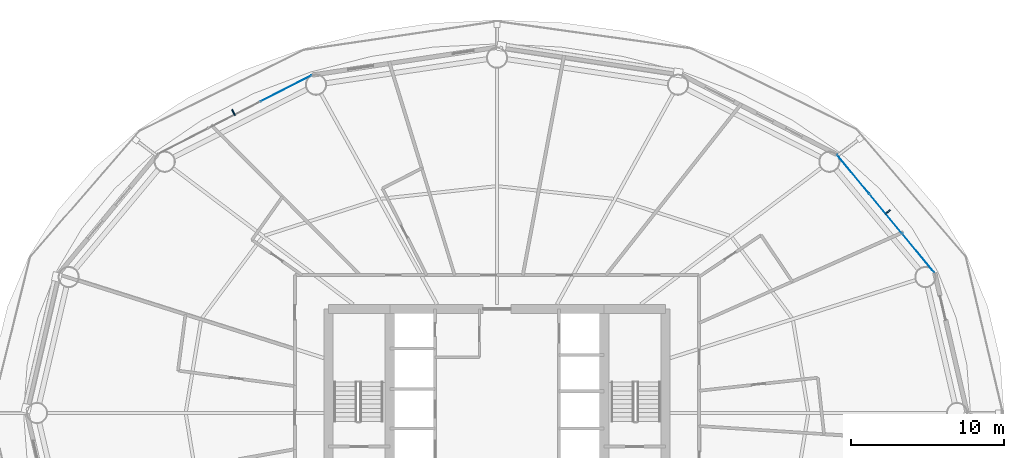
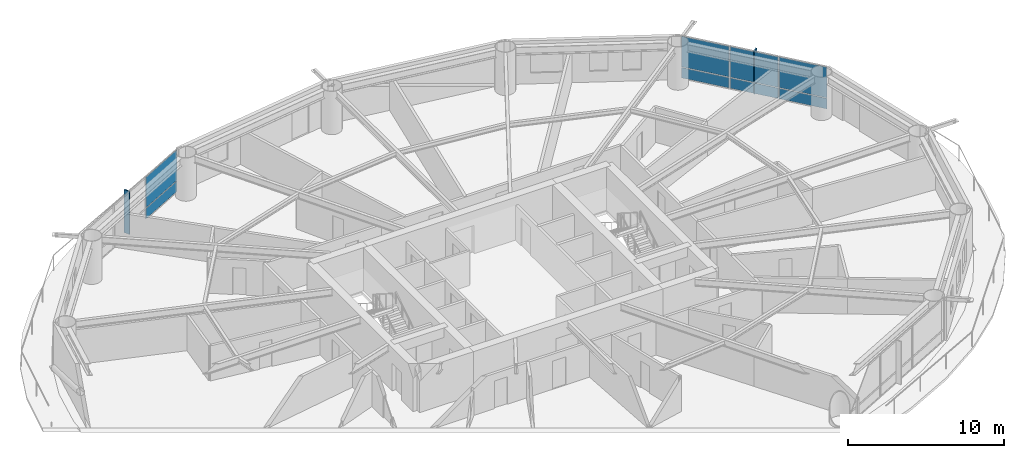
# One storey, part 18 of 26: 10 plates, 2 elements without a shape of their own.
"""IFC4 building model written with IfcOpenShell, lengths in metres."""

from ifc_helpers import new_model, si_unit, direction, frame, origin, origin_2d, place, context, subcontext, project, spatial, rectangle, extrude, material, layer, layer_set, type_object, element, aggregate, save


model = new_model("IFC4")

# Units and contexts
model_context = context("Model", 3, precision=1e-05, world=origin(), true_north=direction((0.0, 1.0)))
body_context = subcontext(model_context, "Body", "Model", "MODEL_VIEW")
ifc_project = project(units=[si_unit("LENGTHUNIT", "METRE"), si_unit("AREAUNIT", "SQUARE_METRE"), si_unit("VOLUMEUNIT", "CUBIC_METRE"), si_unit("PLANEANGLEUNIT", "RADIAN"), si_unit("MASSUNIT", "GRAM", prefix="KILO")], contexts=[model_context])

# Site, building, storey
site_placement = place(None, origin())
site = spatial("IfcSite", under=ifc_project, at=site_placement, CompositionType="ELEMENT")
building_placement = place(site_placement, origin())
building = spatial("IfcBuilding", under=site, at=building_placement, Name="Sarneth Arch Tower", CompositionType="ELEMENT")
storey_placement = place(building_placement, frame((0.0, 0.0, 53.39990234375)))
storey = spatial("IfcBuildingStorey", under=building, at=storey_placement, Name="L12", CompositionType="ELEMENT", Elevation=53.39990234375)

# Curtain wall, plates
ifc_material_1 = material(Name="Anodised aluminium Type AA25 and solar-control low-e laminated IGU", Category="aluminium")
ifc_layer_1 = layer(ifc_material_1, 0.159912109375)
ifc_layer_set_1 = layer_set([ifc_layer_1], Name="Anodised aluminium Type AA25 and solar-control low-e laminated IGU")
curtain_wall_type = type_object("IfcCurtainWallType", Name="CW-HOTEL-LOW", PredefinedType="NOTDEFINED", material=ifc_layer_set_1)
curtain_wall_1_placement = place(storey_placement, origin())
curtain_wall_1 = element("IfcCurtainWall", 1, at=curtain_wall_1_placement, inside=storey, type_object=curtain_wall_type, Name="L12 Unitised curtain wall facet 02", PredefinedType="NOTDEFINED")
ifc_material_2 = material(Name="Solar-control low-e laminated IGU", Category="glass")
ifc_layer_2 = layer(ifc_material_2, 0.028076171875)
ifc_layer_set_2 = layer_set([ifc_layer_2], Name="Solar-control low-e laminated IGU")
plate_type_1 = type_object("IfcPlateType", Name="CW-PANEL", PredefinedType="CURTAIN_PANEL", material=ifc_layer_set_2)
plate_1_placement = place(storey_placement, frame((75.503662109375, 52.441162109375, 0.06005859375), z_axis=(0.0, 0.0, 1.0), x_axis=(-0.637291340827, 0.770622960278, 0.0)))
plate_1 = element("IfcPlate", 2, at=plate_1_placement, type_object=plate_type_1, Name="Curtain wall glazed vision pane CW-L12-F02/P00-00", PredefinedType="CURTAIN_PANEL", context=body_context, shape_type="SweptSolid", body=[
    extrude(rectangle(XDim=3.260986328125, YDim=0.028076171875, at=origin_2d()), origin(), (0.0, 0.0, 1.0), 0.81005859375),
])
plate_2_placement = place(storey_placement, frame((75.503662109375, 52.441162109375, 0.93017578125), z_axis=(0.0, 0.0, 1.0), x_axis=(-0.637291340827, 0.770622960278, 0.0)))
plate_2 = element("IfcPlate", 3, at=plate_2_placement, type_object=plate_type_1, Name="Curtain wall glazed vision pane CW-L12-F02/P00-01", PredefinedType="CURTAIN_PANEL", context=body_context, shape_type="SweptSolid", body=[
    extrude(rectangle(XDim=3.260986328125, YDim=0.028076171875, at=origin_2d()), origin(), (0.0, 0.0, 1.0), 2.389892578125),
])
plate_3_placement = place(storey_placement, frame((73.37744140625, 55.01220703125, 0.06005859375), z_axis=(0.0, 0.0, 1.0), x_axis=(-0.637291340827, 0.770622960278, 0.0)))
plate_3 = element("IfcPlate", 4, at=plate_3_placement, type_object=plate_type_1, Name="Curtain wall glazed vision pane CW-L12-F02/P01-00", PredefinedType="CURTAIN_PANEL", context=body_context, shape_type="SweptSolid", body=[
    extrude(rectangle(XDim=3.291015625, YDim=0.028076171875, at=origin_2d()), origin(), (0.0, 0.0, 1.0), 0.81005859375),
])
plate_4_placement = place(storey_placement, frame((73.37744140625, 55.01220703125, 0.93017578125), z_axis=(0.0, 0.0, 1.0), x_axis=(-0.637291340827, 0.770622960278, 0.0)))
plate_4 = element("IfcPlate", 5, at=plate_4_placement, type_object=plate_type_1, Name="Curtain wall glazed vision pane CW-L12-F02/P01-01", PredefinedType="CURTAIN_PANEL", context=body_context, shape_type="SweptSolid", body=[
    extrude(rectangle(XDim=3.291015625, YDim=0.028076171875, at=origin_2d()), origin(), (0.0, 0.0, 1.0), 2.389892578125),
])
plate_5_placement = place(storey_placement, frame((71.25146484375, 57.5830078125, 0.06005859375), z_axis=(0.0, 0.0, 1.0), x_axis=(-0.637291340827, 0.770622960278, 0.0)))
plate_5 = element("IfcPlate", 6, at=plate_5_placement, type_object=plate_type_1, Name="Curtain wall glazed vision pane CW-L12-F02/P02-00", PredefinedType="CURTAIN_PANEL", context=body_context, shape_type="SweptSolid", body=[
    extrude(rectangle(XDim=3.260986328125, YDim=0.028076171875, at=origin_2d()), origin(), (0.0, 0.0, 1.0), 0.81005859375),
])
plate_6_placement = place(storey_placement, frame((71.25146484375, 57.5830078125, 0.93017578125), z_axis=(0.0, 0.0, 1.0), x_axis=(-0.637291340827, 0.770622960278, 0.0)))
plate_6 = element("IfcPlate", 7, at=plate_6_placement, type_object=plate_type_1, Name="Curtain wall glazed vision pane CW-L12-F02/P02-01", PredefinedType="CURTAIN_PANEL", context=body_context, shape_type="SweptSolid", body=[
    extrude(rectangle(XDim=3.260986328125, YDim=0.028076171875, at=origin_2d()), origin(), (0.0, 0.0, 1.0), 2.389892578125),
])
aggregate(curtain_wall_1, [plate_1, plate_2, plate_3, plate_4, plate_5, plate_6])

curtain_wall_2_placement = place(storey_placement, origin())
curtain_wall_2 = element("IfcCurtainWall", 8, at=curtain_wall_2_placement, inside=storey, type_object=curtain_wall_type, Name="L12 Unitised curtain wall facet 06", PredefinedType="NOTDEFINED")
plate_7_placement = place(storey_placement, frame((34.22607421875, 63.192626953125, 0.06005859375), z_axis=(0.0, 0.0, 1.0), x_axis=(-0.889854100456, -0.456245197127, 0.0)))
plate_7 = element("IfcPlate", 9, at=plate_7_placement, type_object=plate_type_1, Name="Curtain wall glazed vision pane CW-L12-F06/P00-00", PredefinedType="CURTAIN_PANEL", context=body_context, shape_type="SweptSolid", body=[
    extrude(rectangle(XDim=3.69189453125, YDim=0.028076171875, at=origin_2d()), origin(), (0.0, 0.0, 1.0), 0.81005859375),
])
plate_8_placement = place(storey_placement, frame((34.22607421875, 63.192626953125, 0.93017578125), z_axis=(0.0, 0.0, 1.0), x_axis=(-0.889854100456, -0.456245197127, 0.0)))
plate_8 = element("IfcPlate", 10, at=plate_8_placement, type_object=plate_type_1, Name="Curtain wall glazed vision pane CW-L12-F06/P00-01", PredefinedType="CURTAIN_PANEL", context=body_context, shape_type="SweptSolid", body=[
    extrude(rectangle(XDim=3.69189453125, YDim=0.028076171875, at=origin_2d()), origin(), (0.0, 0.0, 1.0), 2.389892578125),
])
aggregate(curtain_wall_2, [plate_7, plate_8])

# Plates
ifc_material_3 = material(Name="Extruded glazed terracotta baguette fin on Aluminium 6063-T6 carrier", Category="masonry")
ifc_layer_3 = layer(ifc_material_3, 0.080078125)
ifc_layer_set_3 = layer_set([ifc_layer_3], Name="Extruded glazed terracotta baguette fin on Aluminium 6063-T6 carrier")
plate_type_2 = type_object("IfcPlateType", Name="SHADE-TERRA-FIN", PredefinedType="SHEET", material=ifc_layer_set_3)
for number, where, z_axis, x_axis, name in (
    (11, (73.508544921875, 55.120361328125, 0.01025390625), (0.0, 0.0, 1.0), (0.770624482513, 0.637289500111, 0.0), "L12 Terracotta vertical shading fin 02"),
    (12, (30.79638671875, 61.625244140625, 0.01025390625), (0.0, 0.0, 1.0), (-0.4563215909, 0.889814927768, 0.0), "L12 Terracotta vertical shading fin 06"),
):
    element("IfcPlate", number, at=place(storey_placement, frame(where, z_axis=z_axis, x_axis=x_axis)), inside=storey, type_object=plate_type_2, Name=name, PredefinedType="SHEET", context=body_context, shape_type="SweptSolid", body=[
        extrude(rectangle(XDim=0.419921875, YDim=0.080078125, at=origin_2d()), origin(), (0.0, 0.0, 1.0), 3.360107421875),
    ])

save(model, "model.ifc")
